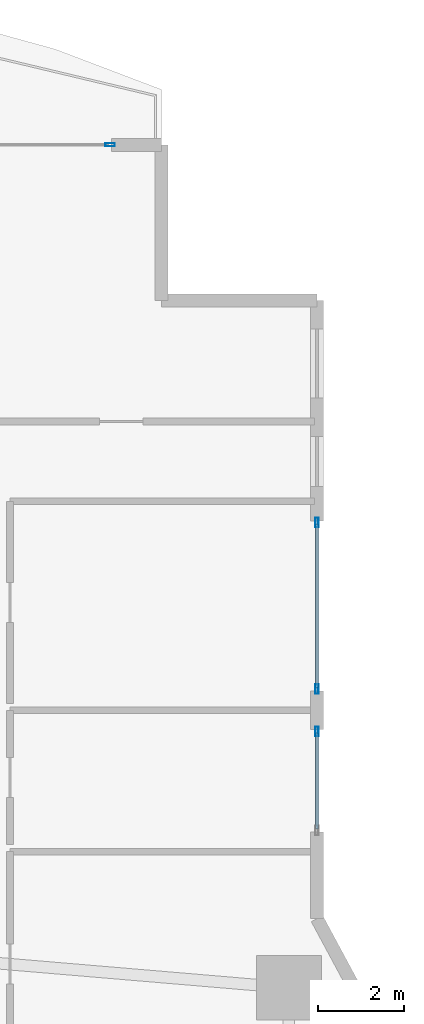
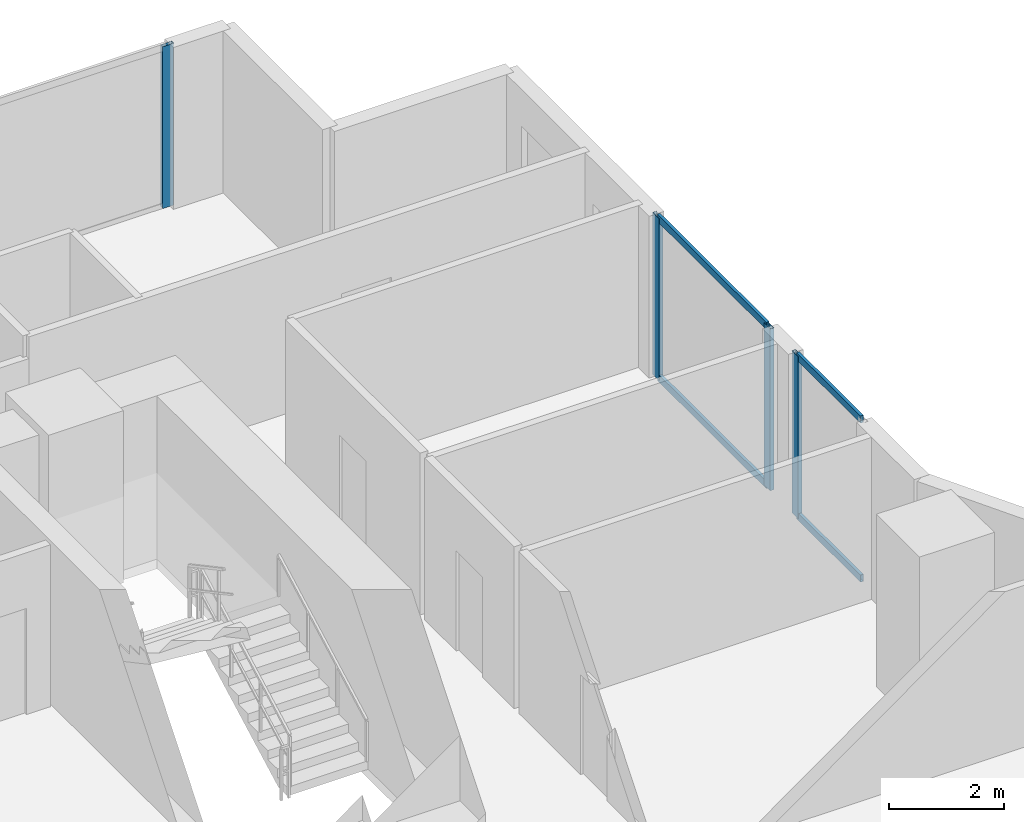
# One storey, part 16 of 28: 8 members, 3 elements without a shape of their own.
"""IFC4 building model written with IfcOpenShell, lengths in metres."""

from ifc_helpers import new_model, si_unit, direction, frame, origin, origin_2d, place, context, subcontext, project, spatial, hollow_rectangle, extrude, material, layer, layer_set, material_profile, profile_set, type_object, element, aggregate, save


model = new_model("IFC4")

# Units and contexts
model_context = context("Model", 3, precision=1e-05, world=origin(), true_north=direction((0.0, 1.0)))
body_context = subcontext(model_context, "Body", "Model", "MODEL_VIEW")
ifc_project = project(units=[si_unit("LENGTHUNIT", "METRE"), si_unit("AREAUNIT", "SQUARE_METRE"), si_unit("VOLUMEUNIT", "CUBIC_METRE"), si_unit("PLANEANGLEUNIT", "RADIAN"), si_unit("MASSUNIT", "GRAM", prefix="KILO")], contexts=[model_context])

# Site, building, storey
site_placement = place(None, origin())
site = spatial("IfcSite", under=ifc_project, at=site_placement, CompositionType="ELEMENT")
building_placement = place(site_placement, origin())
building = spatial("IfcBuilding", under=site, at=building_placement, Name="Zuhayl Quay Hotel", CompositionType="ELEMENT")
storey_placement = place(building_placement, frame((0.0, 0.0, 34.89990234375)))
storey = spatial("IfcBuildingStorey", under=building, at=storey_placement, Name="L07", CompositionType="ELEMENT", Elevation=34.89990234375)

# Curtain wall, member
ifc_material_1 = material(Name="Anodised Aluminium 6063-T6", Category="aluminium")
ifc_layer = layer(ifc_material_1, 0.18994140625, Name="Anodised Aluminium 6063-T6", Category="aluminium")
ifc_layer_set = layer_set([ifc_layer], Name="Anodised Aluminium 6063-T6")
curtain_wall_type = type_object("IfcCurtainWallType", Name="CW_SYS_Z1", PredefinedType="USERDEFINED", material=ifc_layer_set)
curtain_wall_1_placement = place(storey_placement, origin())
curtain_wall_1 = element("IfcCurtainWall", 1, at=curtain_wall_1_placement, inside=storey, type_object=curtain_wall_type, Name="L07 Curtain Wall ENV_L07_N_CW4", ObjectType="UNITISED CURTAIN WALL", PredefinedType="USERDEFINED")
ifc_material_2 = material(Name="Black-anodised aluminium 6063-T6", Category="aluminium")
ifc_material_profile_1 = material_profile(ifc_material_2, hollow_rectangle(XDim=0.074951171875, YDim=0.219970703125, WallThickness=0.00390625, at=origin_2d()), Name="ALU220X75")
ifc_profile_set_1 = profile_set([ifc_material_profile_1], Name="Black-anodised aluminium 6063-T6")
member_type_1 = type_object("IfcMemberType", Name="MB_CW_MUL_220", PredefinedType="MULLION", material=ifc_profile_set_1)
member_1_placement = place(storey_placement, frame((20.91259765625, 23.10009765625, 0.0), z_axis=(0.0, 0.0, 1.0), x_axis=(0.0, 1.0, 0.0)))
member_1 = element("IfcMember", 2, at=member_1_placement, type_object=member_type_1, Name="CW-Z1 mullion 2", PredefinedType="MULLION", context=body_context, shape_type="SweptSolid", body=[
    extrude(hollow_rectangle(XDim=0.074951171875, YDim=0.219970703125, WallThickness=0.00390625, at=origin_2d()), origin(), (0.0, 0.0, 1.0), 3.43017578125),
])
aggregate(curtain_wall_1, [member_1])

# Curtain wall, members
curtain_wall_2_placement = place(storey_placement, origin())
curtain_wall_2 = element("IfcCurtainWall", 3, at=curtain_wall_2_placement, inside=storey, type_object=curtain_wall_type, Name="L07 Curtain Wall ENV_L07_E11_CW1", ObjectType="UNITISED CURTAIN WALL", PredefinedType="USERDEFINED")
member_2_placement = place(storey_placement, frame((25.699951171875, 14.362548828125, 0.0), z_axis=(0.0, 0.0, 1.0), x_axis=(1.0, 0.0, 0.0)))
member_2 = element("IfcMember", 4, at=member_2_placement, type_object=member_type_1, Name="CW-Z1 mullion 1", PredefinedType="MULLION", context=body_context, shape_type="SweptSolid", body=[
    extrude(hollow_rectangle(XDim=0.074951171875, YDim=0.219970703125, WallThickness=0.00390625, at=origin_2d()), origin(), (0.0, 0.0, 1.0), 3.43017578125),
])
member_3_placement = place(storey_placement, frame((25.699951171875, 10.507568359375, 0.0), z_axis=(0.0, 0.0, 1.0), x_axis=(1.0, 0.0, 0.0)))
member_3 = element("IfcMember", 5, at=member_3_placement, type_object=member_type_1, Name="CW-Z1 mullion 2", PredefinedType="MULLION", context=body_context, shape_type="SweptSolid", body=[
    extrude(hollow_rectangle(XDim=0.074951171875, YDim=0.219970703125, WallThickness=0.00390625, at=origin_2d()), origin(), (0.0, 0.0, 1.0), 3.43017578125),
])

# Curtain wall, member
curtain_wall_3_placement = place(storey_placement, origin())
curtain_wall_3 = element("IfcCurtainWall", 6, at=curtain_wall_3_placement, inside=storey, type_object=curtain_wall_type, Name="L07 Curtain Wall ENV_L07_E11_CW2", ObjectType="UNITISED CURTAIN WALL", PredefinedType="USERDEFINED")
member_4_placement = place(storey_placement, frame((25.699951171875, 9.532470703125, 0.0), z_axis=(0.0, 0.0, 1.0), x_axis=(1.0, 0.0, 0.0)))
member_4 = element("IfcMember", 7, at=member_4_placement, type_object=member_type_1, Name="CW-Z1 mullion 1", PredefinedType="MULLION", context=body_context, shape_type="SweptSolid", body=[
    extrude(hollow_rectangle(XDim=0.074951171875, YDim=0.219970703125, WallThickness=0.00390625, at=origin_2d()), origin(), (0.0, 0.0, 1.0), 3.43017578125),
])

# Member
ifc_material_profile_2 = material_profile(ifc_material_2, hollow_rectangle(XDim=0.06005859375, YDim=0.14990234375, WallThickness=0.00341796875, at=origin_2d()), Name="ALU150X60")
ifc_profile_set_2 = profile_set([ifc_material_profile_2], Name="Black-anodised aluminium 6063-T6")
member_type_2 = type_object("IfcMemberType", Name="MB_CW_TRN_150", PredefinedType="USERDEFINED", material=ifc_profile_set_2)
member_5_placement = place(storey_placement, frame((25.699951171875, 14.324951171875, 0.030029296875), z_axis=(0.0, -1.0, 0.0), x_axis=(1.0, 0.0, 0.0)))
member_5 = element("IfcMember", 8, at=member_5_placement, type_object=member_type_2, Name="CW-Z1 transom 1.1", ObjectType="TRANSOM", PredefinedType="USERDEFINED", context=body_context, shape_type="SweptSolid", body=[
    extrude(hollow_rectangle(XDim=0.06005859375, YDim=0.14990234375, WallThickness=0.00341796875, at=origin_2d()), origin(), (0.0, 0.0, 1.0), 3.780029296875),
])

member_6_placement = place(storey_placement, frame((25.699951171875, 14.324951171875, 3.400146484375), z_axis=(0.0, -1.0, 0.0), x_axis=(1.0, 0.0, 0.0)))
member_6 = element("IfcMember", 9, at=member_6_placement, type_object=member_type_2, Name="CW-Z1 transom 1.2", ObjectType="TRANSOM", PredefinedType="USERDEFINED", context=body_context, shape_type="SweptSolid", body=[
    extrude(hollow_rectangle(XDim=0.06005859375, YDim=0.14990234375, WallThickness=0.00341796875, at=origin_2d()), origin(), (0.0, 0.0, 1.0), 3.780029296875),
])

aggregate(curtain_wall_2, [member_2, member_3, member_5, member_6])

member_7_placement = place(storey_placement, frame((25.699951171875, 9.4951171875, 0.030029296875), z_axis=(0.0, -1.0, 0.0), x_axis=(1.0, 0.0, 0.0)))
member_7 = element("IfcMember", 10, at=member_7_placement, type_object=member_type_2, Name="CW-Z1 transom 1.1", ObjectType="TRANSOM", PredefinedType="USERDEFINED", context=body_context, shape_type="SweptSolid", body=[
    extrude(hollow_rectangle(XDim=0.06005859375, YDim=0.14990234375, WallThickness=0.00341796875, at=origin_2d()), origin(), (0.0, 0.0, 1.0), 2.22021484375),
])

member_8_placement = place(storey_placement, frame((25.699951171875, 9.4951171875, 3.400146484375), z_axis=(0.0, -1.0, 0.0), x_axis=(1.0, 0.0, 0.0)))
member_8 = element("IfcMember", 11, at=member_8_placement, type_object=member_type_2, Name="CW-Z1 transom 1.2", ObjectType="TRANSOM", PredefinedType="USERDEFINED", context=body_context, shape_type="SweptSolid", body=[
    extrude(hollow_rectangle(XDim=0.06005859375, YDim=0.14990234375, WallThickness=0.00341796875, at=origin_2d()), origin(), (0.0, 0.0, 1.0), 2.22021484375),
])

aggregate(curtain_wall_3, [member_4, member_7, member_8])

save(model, "model.ifc")
